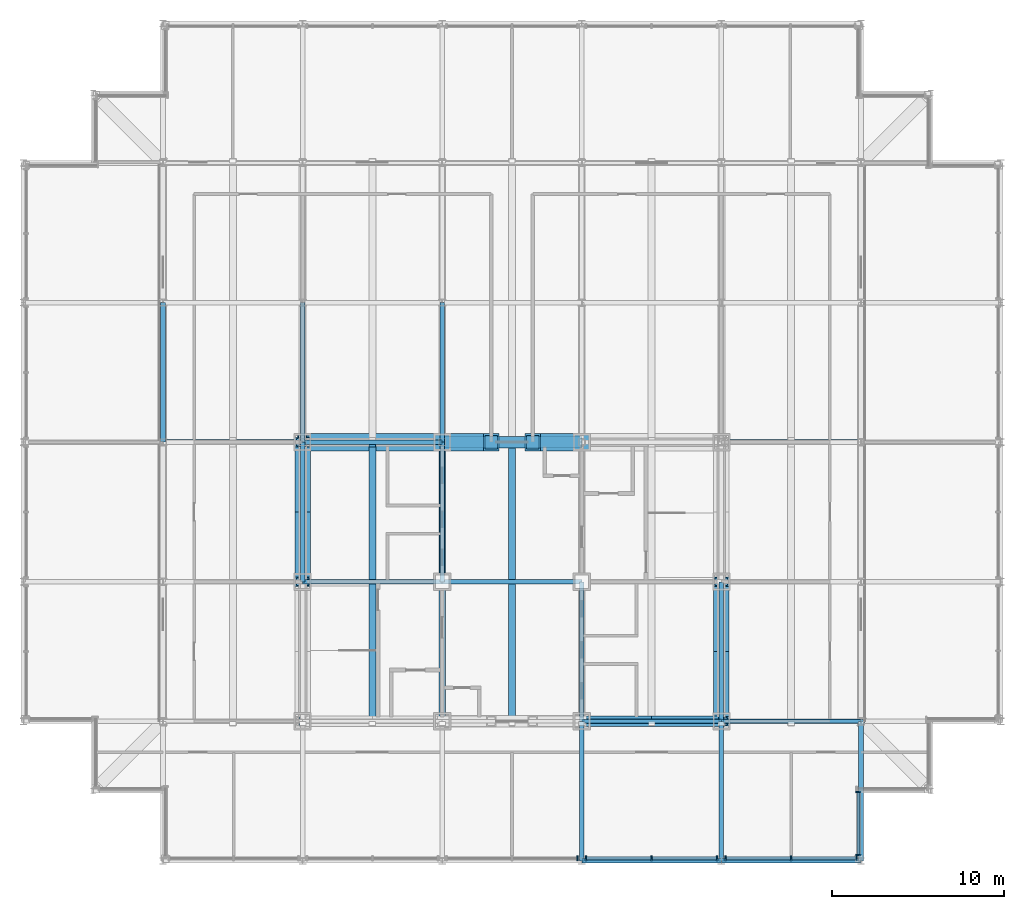
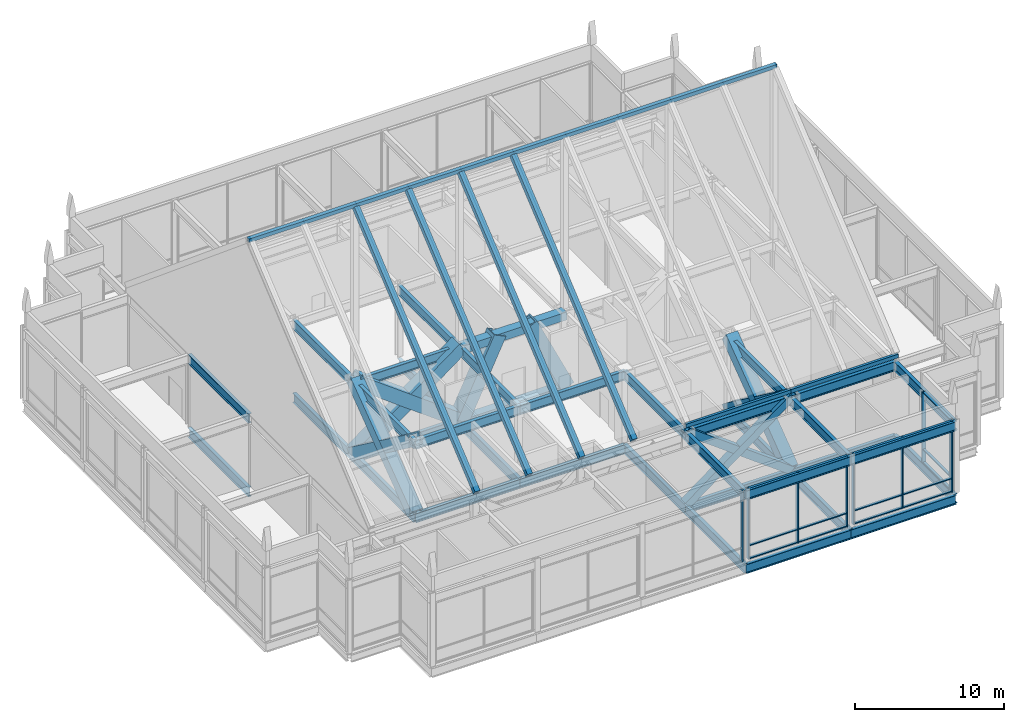
# One storey, part 7 of 22: 43 beams, 34 members, 4 elements without a shape of their own.
"""IFC4 building model written with IfcOpenShell, lengths in metres."""

from ifc_helpers import new_model, si_unit, direction, frame, origin, origin_2d, place, context, subcontext, project, spatial, rectangle, hollow_rectangle, i_section, extrude, material, material_profile, profile_set, type_object, element, aggregate, save


model = new_model("IFC4")

# Units and contexts
model_context = context("Model", 3, precision=1e-05, world=origin(), true_north=direction((0.0, 1.0)))
body_context = subcontext(model_context, "Body", "Model", "MODEL_VIEW")
ifc_project = project(units=[si_unit("LENGTHUNIT", "METRE"), si_unit("AREAUNIT", "SQUARE_METRE"), si_unit("VOLUMEUNIT", "CUBIC_METRE"), si_unit("PLANEANGLEUNIT", "RADIAN"), si_unit("MASSUNIT", "GRAM", prefix="KILO")], contexts=[model_context])

# Site, building, storey
site_placement = place(None, origin())
site = spatial("IfcSite", under=ifc_project, at=site_placement, CompositionType="ELEMENT")
building_placement = place(site_placement, origin())
building = spatial("IfcBuilding", under=site, at=building_placement, Name="Kopane Lantern Tower", CompositionType="ELEMENT")
storey_placement = place(building_placement, frame((0.0, 0.0, 303.89990234375)))
storey = spatial("IfcBuildingStorey", under=building, at=storey_placement, Name="L77", CompositionType="ELEMENT", Elevation=303.89990234375)

# Members
ifc_material_1 = material(Name="Steel S355JR", Category="steel")
ifc_material_profile_1 = material_profile(ifc_material_1, hollow_rectangle(XDim=1.0, YDim=1.0, WallThickness=0.10009765625, at=origin_2d()), Name="BOX 1000x1000x100")
ifc_profile_set_1 = profile_set([ifc_material_profile_1], Name="Steel S355JR")
member_type_1 = type_object("IfcMemberType", Name="BRACE BOX 1000x1000x100", PredefinedType="BRACE", material=ifc_profile_set_1)
for number, where, z_axis, x_axis, name in (
    (1, (16.199951171875, 40.5, -0.2099609375), (0.803085697945, 0.0, 0.595863542899), (0.0, 1.0, 0.0), "Core brace L77"),
    (2, (24.300048828125, 40.5, -0.2099609375), (-0.803085697945, 0.0, 0.595863542899), (0.0, -1.0, 0.0), "Core brace L77"),
):
    element("IfcMember", number, at=place(storey_placement, frame(where, z_axis=z_axis, x_axis=x_axis)), inside=storey, type_object=member_type_1, Name=name, PredefinedType="BRACE", context=body_context, shape_type="SweptSolid", body=[
        extrude(hollow_rectangle(XDim=1.0, YDim=1.0, WallThickness=0.10009765625, at=origin_2d()), origin(), (0.0, 0.0, 1.0), 10.086181640625),
    ])
for number, where, z_axis, x_axis, name in (
    (3, (24.300048828125, 40.5, -0.2099609375), (0.428455516454, 0.0, 0.903562875743), (0.0, 1.0, 0.0), "Core brace L77"),
    (4, (32.39990234375, 40.5, -0.2099609375), (-0.428455516454, 0.0, 0.903562875743), (0.0, -1.0, 0.0), "Core brace L77"),
):
    element("IfcMember", number, at=place(storey_placement, frame(where, z_axis=z_axis, x_axis=x_axis)), inside=storey, type_object=member_type_1, Name=name, PredefinedType="BRACE", context=body_context, shape_type="SweptSolid", body=[
        extrude(hollow_rectangle(XDim=1.0, YDim=1.0, WallThickness=0.10009765625, at=origin_2d()), origin(), (0.0, 0.0, 1.0), 6.6513671875),
    ])
ifc_material_2 = material(Name="Steel S355JR", Category="steel")
ifc_material_profile_2 = material_profile(ifc_material_2, hollow_rectangle(XDim=0.60009765625, YDim=0.60009765625, WallThickness=0.06005859375, at=origin_2d()), Name="BOX 600x600x60")
ifc_profile_set_2 = profile_set([ifc_material_profile_2], Name="Steel S355JR")
member_type_2 = type_object("IfcMemberType", Name="BRACE BOX 600x600x60", PredefinedType="BRACE", material=ifc_profile_set_2)
for number, where, z_axis, x_axis, name in (
    (5, (32.39990234375, 24.300048828125, -0.2099609375), (0.803085697945, 0.0, 0.595863542899), (0.0, 1.0, 0.0), "Core brace L77"),
    (6, (40.5, 24.300048828125, -0.2099609375), (-0.803085697945, 0.0, 0.595863542899), (0.0, -1.0, 0.0), "Core brace L77"),
):
    element("IfcMember", number, at=place(storey_placement, frame(where, z_axis=z_axis, x_axis=x_axis)), inside=storey, type_object=member_type_2, Name=name, PredefinedType="BRACE", context=body_context, shape_type="SweptSolid", body=[
        extrude(hollow_rectangle(XDim=0.60009765625, YDim=0.60009765625, WallThickness=0.06005859375, at=origin_2d()), origin(), (0.0, 0.0, 1.0), 10.086181640625),
    ])
ifc_material_3 = material(Name="Steel S355JR", Category="steel")
ifc_material_profile_3 = material_profile(ifc_material_3, hollow_rectangle(XDim=0.89990234375, YDim=0.89990234375, WallThickness=0.090087890625, at=origin_2d()), Name="BOX 900x900x90")
ifc_profile_set_3 = profile_set([ifc_material_profile_3], Name="Steel S355JR")
member_type_3 = type_object("IfcMemberType", Name="BRACE BOX 900x900x90", PredefinedType="BRACE", material=ifc_profile_set_3)
for number, where, z_axis, x_axis, name in (
    (7, (16.199951171875, 32.39990234375, -0.2099609375), (0.0, 0.803085697945, 0.595863542899), (-1.0, 0.0, 0.0), "Core brace L77"),
    (8, (16.199951171875, 40.5, -0.2099609375), (0.0, -0.803085697945, 0.595863542899), (1.0, 0.0, 0.0), "Core brace L77"),
):
    element("IfcMember", number, at=place(storey_placement, frame(where, z_axis=z_axis, x_axis=x_axis)), inside=storey, type_object=member_type_3, Name=name, PredefinedType="BRACE", context=body_context, shape_type="SweptSolid", body=[
        extrude(hollow_rectangle(XDim=0.89990234375, YDim=0.89990234375, WallThickness=0.090087890625, at=origin_2d()), origin(), (0.0, 0.0, 1.0), 10.086181640625),
    ])
for number, where, z_axis, x_axis, name in (
    (9, (40.5, 24.300048828125, -0.2099609375), (0.0, 0.803077103497, 0.595875126045), (-1.0, 0.0, 0.0), "Core brace L77"),
    (10, (40.5, 32.39990234375, -0.2099609375), (0.0, -0.803077103497, 0.595875126045), (1.0, 0.0, 0.0), "Core brace L77"),
):
    element("IfcMember", number, at=place(storey_placement, frame(where, z_axis=z_axis, x_axis=x_axis)), inside=storey, type_object=member_type_3, Name=name, PredefinedType="BRACE", context=body_context, shape_type="SweptSolid", body=[
        extrude(hollow_rectangle(XDim=0.89990234375, YDim=0.89990234375, WallThickness=0.090087890625, at=origin_2d()), origin(), (0.0, 0.0, 1.0), 10.0859375),
    ])

# Beams
ifc_material_4 = material(Name="Steel S355JR", Category="steel")
ifc_material_profile_4 = material_profile(ifc_material_4, i_section(OverallWidth=0.2666015625, OverallDepth=0.76220703125, WebThickness=0.014404296875, FlangeThickness=0.021484375, FilletRadius=0.0166015625, at=origin_2d()), Name="UB 762x267x173")
ifc_profile_set_4 = profile_set([ifc_material_profile_4], Name="Steel S355JR")
beam_type_1 = type_object("IfcBeamType", Name="CORE BEAM UB 762x267x173", PredefinedType="BEAM", material=ifc_profile_set_4)
for number, where, z_axis, x_axis, name in (
    (11, (16.199951171875, 32.39990234375, -0.591064453125), (1.0, 0.0, 0.0), (0.0, 1.0, 0.0), "Core Beam L77"),
    (12, (24.300048828125, 32.39990234375, -0.591064453125), (0.0, 1.0, 0.0), (-1.0, 0.0, 0.0), "Core Beam L77"),
):
    element("IfcBeam", number, at=place(storey_placement, frame(where, z_axis=z_axis, x_axis=x_axis)), inside=storey, type_object=beam_type_1, Name=name, PredefinedType="BEAM", context=body_context, shape_type="SweptSolid", body=[
        extrude(i_section(OverallWidth=0.2666015625, OverallDepth=0.76220703125, WebThickness=0.014404296875, FlangeThickness=0.021484375, FilletRadius=0.0166015625, at=origin_2d()), origin(), (0.0, 0.0, 1.0), 8.10009765625),
    ])
for number, where, z_axis, x_axis, name in (
    (13, (24.300048828125, 32.39990234375, -0.591064453125), (1.0, 0.0, 0.0), (0.0, 1.0, 0.0), "Core Beam L77"),
    (14, (32.39990234375, 24.300048828125, -0.591064453125), (0.0, 1.0, 0.0), (-1.0, 0.0, 0.0), "Core Beam L77"),
):
    element("IfcBeam", number, at=place(storey_placement, frame(where, z_axis=z_axis, x_axis=x_axis)), inside=storey, type_object=beam_type_1, Name=name, PredefinedType="BEAM", context=body_context, shape_type="SweptSolid", body=[
        extrude(i_section(OverallWidth=0.2666015625, OverallDepth=0.76220703125, WebThickness=0.014404296875, FlangeThickness=0.021484375, FilletRadius=0.0166015625, at=origin_2d()), origin(), (0.0, 0.0, 1.0), 8.099853515625),
    ])
beam_1_placement = place(storey_placement, frame((24.300048828125, 32.39990234375, 5.4189453125), z_axis=(0.0, 1.0, 0.0), x_axis=(-1.0, 0.0, 0.0)))
element("IfcBeam", 15, at=beam_1_placement, inside=storey, type_object=beam_type_1, Name="Core Beam roof", PredefinedType="BEAM", context=body_context, shape_type="SweptSolid", body=[
    extrude(i_section(OverallWidth=0.2666015625, OverallDepth=0.76220703125, WebThickness=0.014404296875, FlangeThickness=0.021484375, FilletRadius=0.0166015625, at=origin_2d()), origin(), (0.0, 0.0, 1.0), 8.10009765625),
])
beam_2_placement = place(storey_placement, frame((32.39990234375, 24.300048828125, 5.4189453125), z_axis=(0.0, 1.0, 0.0), x_axis=(-1.0, 0.0, 0.0)))
element("IfcBeam", 16, at=beam_2_placement, inside=storey, type_object=beam_type_1, Name="Core Beam roof", PredefinedType="BEAM", context=body_context, shape_type="SweptSolid", body=[
    extrude(i_section(OverallWidth=0.2666015625, OverallDepth=0.76220703125, WebThickness=0.014404296875, FlangeThickness=0.021484375, FilletRadius=0.0166015625, at=origin_2d()), origin(), (0.0, 0.0, 1.0), 8.099853515625),
])
beam_3_placement = place(storey_placement, frame((16.199951171875, 32.39990234375, 5.4189453125), z_axis=(1.0, 0.0, 0.0), x_axis=(0.0, 1.0, 0.0)))
element("IfcBeam", 17, at=beam_3_placement, inside=storey, type_object=beam_type_1, Name="Core Beam roof", PredefinedType="BEAM", context=body_context, shape_type="SweptSolid", body=[
    extrude(i_section(OverallWidth=0.2666015625, OverallDepth=0.76220703125, WebThickness=0.014404296875, FlangeThickness=0.021484375, FilletRadius=0.0166015625, at=origin_2d()), origin(), (0.0, 0.0, 1.0), 8.10009765625),
])
beam_4_placement = place(storey_placement, frame((24.300048828125, 32.39990234375, 5.4189453125), z_axis=(1.0, 0.0, 0.0), x_axis=(0.0, 1.0, 0.0)))
element("IfcBeam", 18, at=beam_4_placement, inside=storey, type_object=beam_type_1, Name="Core Beam roof", PredefinedType="BEAM", context=body_context, shape_type="SweptSolid", body=[
    extrude(i_section(OverallWidth=0.2666015625, OverallDepth=0.76220703125, WebThickness=0.014404296875, FlangeThickness=0.021484375, FilletRadius=0.0166015625, at=origin_2d()), origin(), (0.0, 0.0, 1.0), 8.099853515625),
])
ifc_material_5 = material(Name="Steel S355JR", Category="steel")
ifc_material_profile_5 = material_profile(ifc_material_5, i_section(OverallWidth=0.2666015625, OverallDepth=0.76220703125, WebThickness=0.014404296875, FlangeThickness=0.021484375, FilletRadius=0.0166015625, at=origin_2d()), Name="UB 762x267x173")
ifc_profile_set_5 = profile_set([ifc_material_profile_5], Name="Steel S355JR")
beam_type_2 = type_object("IfcBeamType", Name="GIRDER UB 762x267x173", PredefinedType="BEAM", material=ifc_profile_set_5)
for number, where, z_axis, x_axis, name in (
    (19, (8.10009765625, 40.5, -0.591064453125), (0.0, 1.0, 0.0), (-1.0, 0.0, 0.0), "Girder L77"),
    (20, (16.199951171875, 32.39990234375, -0.591064453125), (0.0, 1.0, 0.0), (-1.0, 0.0, 0.0), "Girder L77"),
    (21, (16.199951171875, 40.5, -0.591064453125), (0.0, 1.0, 0.0), (-1.0, 0.0, 0.0), "Girder L77"),
    (22, (16.199951171875, 40.5, -0.591064453125), (1.0, 0.0, 0.0), (0.0, 1.0, 0.0), "Girder L77"),
    (23, (24.300048828125, 40.5, -0.591064453125), (0.0, 1.0, 0.0), (-1.0, 0.0, 0.0), "Girder L77"),
    (24, (32.39990234375, 16.199951171875, -0.591064453125), (0.0, 1.0, 0.0), (-1.0, 0.0, 0.0), "Girder L77"),
    (25, (32.39990234375, 16.199951171875, -0.591064453125), (1.0, 0.0, 0.0), (0.0, 1.0, 0.0), "Girder L77"),
    (26, (32.39990234375, 24.300048828125, -0.591064453125), (1.0, 0.0, 0.0), (0.0, 1.0, 0.0), "Girder L77"),
    (27, (40.5, 16.199951171875, -0.591064453125), (0.0, 1.0, 0.0), (-1.0, 0.0, 0.0), "Girder L77"),
    (28, (40.5, 16.199951171875, -0.591064453125), (1.0, 0.0, 0.0), (0.0, 1.0, 0.0), "Girder L77"),
):
    element("IfcBeam", number, at=place(storey_placement, frame(where, z_axis=z_axis, x_axis=x_axis)), inside=storey, type_object=beam_type_2, Name=name, PredefinedType="BEAM", context=body_context, shape_type="SweptSolid", body=[
        extrude(i_section(OverallWidth=0.2666015625, OverallDepth=0.76220703125, WebThickness=0.014404296875, FlangeThickness=0.021484375, FilletRadius=0.0166015625, at=origin_2d()), origin(), (0.0, 0.0, 1.0), 8.10009765625),
    ])
beam_5_placement = place(storey_placement, frame((40.5, 24.300048828125, -0.591064453125), z_axis=(0.0, 1.0, 0.0), x_axis=(-1.0, 0.0, 0.0)))
element("IfcBeam", 29, at=beam_5_placement, inside=storey, type_object=beam_type_2, Name="Girder L77", PredefinedType="BEAM", context=body_context, shape_type="SweptSolid", body=[
    extrude(i_section(OverallWidth=0.2666015625, OverallDepth=0.76220703125, WebThickness=0.014404296875, FlangeThickness=0.021484375, FilletRadius=0.0166015625, at=origin_2d()), origin(), (0.0, 0.0, 1.0), 8.099853515625),
])
for number, where, z_axis, x_axis, name in (
    (30, (40.5, 24.300048828125, -0.591064453125), (1.0, 0.0, 0.0), (0.0, 1.0, 0.0), "Girder L77"),
    (31, (48.60009765625, 16.199951171875, -0.591064453125), (0.0, 1.0, 0.0), (-1.0, 0.0, 0.0), "Girder L77"),
):
    element("IfcBeam", number, at=place(storey_placement, frame(where, z_axis=z_axis, x_axis=x_axis)), inside=storey, type_object=beam_type_2, Name=name, PredefinedType="BEAM", context=body_context, shape_type="SweptSolid", body=[
        extrude(i_section(OverallWidth=0.2666015625, OverallDepth=0.76220703125, WebThickness=0.014404296875, FlangeThickness=0.021484375, FilletRadius=0.0166015625, at=origin_2d()), origin(), (0.0, 0.0, 1.0), 8.10009765625),
    ])
ifc_material_6 = material(Name="Steel S355JR", Category="steel")
ifc_material_profile_6 = material_profile(ifc_material_6, hollow_rectangle(XDim=0.39990234375, YDim=0.39990234375, WallThickness=0.01611328125, at=origin_2d()), Name="RHS 400x400x16")
ifc_profile_set_6 = profile_set([ifc_material_profile_6], Name="Steel S355JR")
beam_type_3 = type_object("IfcBeamType", Name="LANTERN RAFTER SHS 400x400x16", PredefinedType="USERDEFINED", material=ifc_profile_set_6)
for number, where, z_axis, x_axis, name in (
    (32, (16.199951171875, 24.172119140625, 6.45361328125), (0.0, 0.768220329338, 0.640185539974), (-1.0, 0.0, 0.0), "Lantern rafter S"),
    (33, (20.25, 24.172119140625, 6.45361328125), (0.0, 0.768220329338, 0.640185539974), (-1.0, 0.0, 0.0), "Lantern rafter S"),
    (34, (24.300048828125, 24.172119140625, 6.45361328125), (0.0, 0.768220329338, 0.640185539974), (-1.0, 0.0, 0.0), "Lantern rafter S"),
    (35, (28.35009765625, 24.172119140625, 6.45361328125), (0.0, 0.768220329338, 0.640185539974), (-1.0, 0.0, 0.0), "Lantern rafter S"),
):
    element("IfcBeam", number, at=place(storey_placement, frame(where, z_axis=z_axis, x_axis=x_axis)), inside=storey, type_object=beam_type_3, Name=name, ObjectType="RAFTER", PredefinedType="USERDEFINED", context=body_context, shape_type="SweptSolid", body=[
        extrude(hollow_rectangle(XDim=0.39990234375, YDim=0.39990234375, WallThickness=0.01611328125, at=origin_2d()), origin(), (0.0, 0.0, 1.0), 21.05908203125),
    ])
ifc_material_7 = material(Name="Steel S355JR", Category="steel")
ifc_material_profile_7 = material_profile(ifc_material_7, hollow_rectangle(XDim=0.300048828125, YDim=0.300048828125, WallThickness=0.012451171875, at=origin_2d()), Name="RHS 300x300x12.5")
ifc_profile_set_7 = profile_set([ifc_material_profile_7], Name="Steel S355JR")
beam_type_4 = type_object("IfcBeamType", Name="LANTERN RIDGE BEAM RHS 300x300x12.5", PredefinedType="BEAM", material=ifc_profile_set_7)
beam_6_placement = place(storey_placement, frame((7.949951171875, 40.5, 20.0458984375), z_axis=(1.0, 0.0, 0.0), x_axis=(0.0, 1.0, 0.0)))
element("IfcBeam", 36, at=beam_6_placement, inside=storey, type_object=beam_type_4, Name="Lantern ridge beam", PredefinedType="BEAM", context=body_context, shape_type="SweptSolid", body=[
    extrude(hollow_rectangle(XDim=0.300048828125, YDim=0.300048828125, WallThickness=0.012451171875, at=origin_2d()), origin(), (0.0, 0.0, 1.0), 40.800048828125),
])
ifc_material_8 = material(Name="Steel S355JR", Category="steel")
ifc_material_profile_8 = material_profile(ifc_material_8, hollow_rectangle(XDim=0.199951171875, YDim=0.300048828125, WallThickness=0.010009765625, at=origin_2d()), Name="RHS 300x200x10")
ifc_profile_set_8 = profile_set([ifc_material_profile_8], Name="Steel S355JR")
beam_type_5 = type_object("IfcBeamType", Name="LANTERN SILL BEAM RHS 300x200x10", PredefinedType="BEAM", material=ifc_profile_set_8)
beam_7_placement = place(storey_placement, frame((32.39990234375, 24.300048828125, 6.150146484375), z_axis=(1.0, 0.0, 0.0), x_axis=(0.0, 1.0, 0.0)))
element("IfcBeam", 37, at=beam_7_placement, inside=storey, type_object=beam_type_5, Name="Lantern sill beam S", PredefinedType="BEAM", context=body_context, shape_type="SweptSolid", body=[
    extrude(hollow_rectangle(XDim=0.199951171875, YDim=0.300048828125, WallThickness=0.010009765625, at=origin_2d()), origin(), (0.0, 0.0, 1.0), 8.10009765625),
])
beam_8_placement = place(storey_placement, frame((40.5, 24.300048828125, 6.150146484375), z_axis=(1.0, 0.0, 0.0), x_axis=(0.0, 1.0, 0.0)))
element("IfcBeam", 38, at=beam_8_placement, inside=storey, type_object=beam_type_5, Name="Lantern sill beam S", PredefinedType="BEAM", context=body_context, shape_type="SweptSolid", body=[
    extrude(hollow_rectangle(XDim=0.199951171875, YDim=0.300048828125, WallThickness=0.010009765625, at=origin_2d()), origin(), (0.0, 0.0, 1.0), 8.300048828125),
])
ifc_material_9 = material(Name="Steel S355JR", Category="steel")
ifc_material_profile_9 = material_profile(ifc_material_9, hollow_rectangle(XDim=0.64990234375, YDim=0.64990234375, WallThickness=0.070068359375, at=origin_2d()), Name="BOX 650x650x70")
ifc_profile_set_9 = profile_set([ifc_material_profile_9], Name="Steel S355JR")
beam_type_6 = type_object("IfcBeamType", Name="LINK BEAM BOX 650x650x70", PredefinedType="BEAM", material=ifc_profile_set_9)
for number, where, z_axis, x_axis, name in (
    (39, (24.300048828125, 40.5, -0.534912109375), (1.0, 0.0, 0.0), (0.0, 1.0, 0.0), "Link Beam L77"),
    (40, (24.300048828125, 40.5, 5.47509765625), (1.0, 0.0, 0.0), (0.0, 1.0, 0.0), "Link Beam roof"),
):
    element("IfcBeam", number, at=place(storey_placement, frame(where, z_axis=z_axis, x_axis=x_axis)), inside=storey, type_object=beam_type_6, Name=name, PredefinedType="BEAM", context=body_context, shape_type="SweptSolid", body=[
        extrude(hollow_rectangle(XDim=0.64990234375, YDim=0.64990234375, WallThickness=0.070068359375, at=origin_2d()), origin(), (0.0, 0.0, 1.0), 8.099853515625),
    ])

# Curtain wall, member
ifc_material_10 = material(Name="Aluminium and clear glass", Category="aluminium")
curtain_wall_type = type_object("IfcCurtainWallType", Name="CURTAIN WALL CW6 LANTERN CROWN", PredefinedType="USERDEFINED", material=ifc_material_10)
curtain_wall_1_placement = place(storey_placement, origin())
curtain_wall_1 = element("IfcCurtainWall", 41, at=curtain_wall_1_placement, inside=storey, type_object=curtain_wall_type, Name="Curtain wall CW6 S L77", ObjectType="CURTAIN WALL", PredefinedType="USERDEFINED")
ifc_material_11 = material(Name="Aluminium", Category="aluminium")
ifc_material_profile_10 = material_profile(ifc_material_11, rectangle(XDim=0.080078125, YDim=0.280029296875, at=origin_2d()), Name="AL 80x280")
ifc_profile_set_10 = profile_set([ifc_material_profile_10], Name="Aluminium")
member_type_4 = type_object("IfcMemberType", Name="MULLION CW6-M 80x280", PredefinedType="MULLION", material=ifc_profile_set_10)
member_1_placement = place(storey_placement, frame((32.155517578125, 16.35009765625, 0.0), z_axis=(0.0, 0.0, 1.0), x_axis=(1.0, 0.0, 0.0)))
member_1 = element("IfcMember", 42, at=member_1_placement, type_object=member_type_4, Name="CW6 mullion 3", PredefinedType="MULLION", context=body_context, shape_type="SweptSolid", body=[
    extrude(rectangle(XDim=0.080078125, YDim=0.280029296875, at=origin_2d()), origin(), (0.0, 0.0, 1.0), 5.800048828125),
])
aggregate(curtain_wall_1, [member_1])

# Curtain wall, members
curtain_wall_2_placement = place(storey_placement, origin())
curtain_wall_2 = element("IfcCurtainWall", 43, at=curtain_wall_2_placement, inside=storey, type_object=curtain_wall_type, Name="Curtain wall CW6 S L77", ObjectType="CURTAIN WALL", PredefinedType="USERDEFINED")
member_2_placement = place(storey_placement, frame((32.64453125, 16.35009765625, 0.0), z_axis=(0.0, 0.0, 1.0), x_axis=(1.0, 0.0, 0.0)))
member_2 = element("IfcMember", 44, at=member_2_placement, type_object=member_type_4, Name="CW6 mullion 1", PredefinedType="MULLION", context=body_context, shape_type="SweptSolid", body=[
    extrude(rectangle(XDim=0.080078125, YDim=0.280029296875, at=origin_2d()), origin(), (0.0, 0.0, 1.0), 5.800048828125),
])
member_3_placement = place(storey_placement, frame((36.449951171875, 16.35009765625, 0.0), z_axis=(0.0, 0.0, 1.0), x_axis=(1.0, 0.0, 0.0)))
member_3 = element("IfcMember", 45, at=member_3_placement, type_object=member_type_4, Name="CW6 mullion 2", PredefinedType="MULLION", context=body_context, shape_type="SweptSolid", body=[
    extrude(rectangle(XDim=0.080078125, YDim=0.280029296875, at=origin_2d()), origin(), (0.0, 0.0, 1.0), 5.800048828125),
])
member_4_placement = place(storey_placement, frame((40.255615234375, 16.35009765625, 0.0), z_axis=(0.0, 0.0, 1.0), x_axis=(1.0, 0.0, 0.0)))
member_4 = element("IfcMember", 46, at=member_4_placement, type_object=member_type_4, Name="CW6 mullion 3", PredefinedType="MULLION", context=body_context, shape_type="SweptSolid", body=[
    extrude(rectangle(XDim=0.080078125, YDim=0.280029296875, at=origin_2d()), origin(), (0.0, 0.0, 1.0), 5.800048828125),
])

curtain_wall_3_placement = place(storey_placement, origin())
curtain_wall_3 = element("IfcCurtainWall", 47, at=curtain_wall_3_placement, inside=storey, type_object=curtain_wall_type, Name="Curtain wall CW6 S L77", ObjectType="CURTAIN WALL", PredefinedType="USERDEFINED")
member_5_placement = place(storey_placement, frame((40.744384765625, 16.35009765625, 0.0), z_axis=(0.0, 0.0, 1.0), x_axis=(1.0, 0.0, 0.0)))
member_5 = element("IfcMember", 48, at=member_5_placement, type_object=member_type_4, Name="CW6 mullion 1", PredefinedType="MULLION", context=body_context, shape_type="SweptSolid", body=[
    extrude(rectangle(XDim=0.080078125, YDim=0.280029296875, at=origin_2d()), origin(), (0.0, 0.0, 1.0), 5.800048828125),
])
member_6_placement = place(storey_placement, frame((44.550048828125, 16.35009765625, 0.0), z_axis=(0.0, 0.0, 1.0), x_axis=(1.0, 0.0, 0.0)))
member_6 = element("IfcMember", 49, at=member_6_placement, type_object=member_type_4, Name="CW6 mullion 2", PredefinedType="MULLION", context=body_context, shape_type="SweptSolid", body=[
    extrude(rectangle(XDim=0.080078125, YDim=0.280029296875, at=origin_2d()), origin(), (0.0, 0.0, 1.0), 5.800048828125),
])
member_7_placement = place(storey_placement, frame((48.35546875, 16.35009765625, 0.0), z_axis=(0.0, 0.0, 1.0), x_axis=(1.0, 0.0, 0.0)))
member_7 = element("IfcMember", 50, at=member_7_placement, type_object=member_type_4, Name="CW6 mullion 3", PredefinedType="MULLION", context=body_context, shape_type="SweptSolid", body=[
    extrude(rectangle(XDim=0.080078125, YDim=0.280029296875, at=origin_2d()), origin(), (0.0, 0.0, 1.0), 5.800048828125),
])

curtain_wall_4_placement = place(storey_placement, origin())
curtain_wall_4 = element("IfcCurtainWall", 51, at=curtain_wall_4_placement, inside=storey, type_object=curtain_wall_type, Name="Curtain wall CW6 E L77", ObjectType="CURTAIN WALL", PredefinedType="USERDEFINED")
member_8_placement = place(storey_placement, frame((48.449951171875, 16.5400390625, 0.0), z_axis=(0.0, 0.0, 1.0), x_axis=(0.0, 1.0, 0.0)))
member_8 = element("IfcMember", 52, at=member_8_placement, type_object=member_type_4, Name="CW6 mullion 1", PredefinedType="MULLION", context=body_context, shape_type="SweptSolid", body=[
    extrude(rectangle(XDim=0.080078125, YDim=0.280029296875, at=origin_2d()), origin(), (0.0, 0.0, 1.0), 5.800048828125),
])
member_9_placement = place(storey_placement, frame((48.449951171875, 20.2099609375, 0.0), z_axis=(0.0, 0.0, 1.0), x_axis=(0.0, 1.0, 0.0)))
member_9 = element("IfcMember", 53, at=member_9_placement, type_object=member_type_4, Name="CW6 mullion 2", PredefinedType="MULLION", context=body_context, shape_type="SweptSolid", body=[
    extrude(rectangle(XDim=0.080078125, YDim=0.280029296875, at=origin_2d()), origin(), (0.0, 0.0, 1.0), 5.800048828125),
])

# Beams
ifc_material_12 = material(Name="Steel S355JR", Category="steel")
ifc_material_profile_11 = material_profile(ifc_material_12, i_section(OverallWidth=0.2666015625, OverallDepth=0.76220703125, WebThickness=0.014404296875, FlangeThickness=0.021484375, FilletRadius=0.0166015625, at=origin_2d()), Name="UB 762x267x173")
ifc_profile_set_11 = profile_set([ifc_material_profile_11], Name="Steel S355JR")
beam_type_7 = type_object("IfcBeamType", Name="ROOF GIRDER UB 762x267x173", PredefinedType="BEAM", material=ifc_profile_set_11)
for number, where, z_axis, x_axis, name in (
    (54, (8.10009765625, 40.5, 5.4189453125), (0.0, 1.0, 0.0), (-1.0, 0.0, 0.0), "Roof Girder roof"),
    (55, (16.199951171875, 32.39990234375, 5.4189453125), (0.0, 1.0, 0.0), (-1.0, 0.0, 0.0), "Roof Girder roof"),
    (56, (16.199951171875, 40.5, 5.4189453125), (0.0, 1.0, 0.0), (-1.0, 0.0, 0.0), "Roof Girder roof"),
    (57, (24.300048828125, 40.5, 5.4189453125), (0.0, 1.0, 0.0), (-1.0, 0.0, 0.0), "Roof Girder roof"),
    (58, (32.39990234375, 16.199951171875, 5.4189453125), (0.0, 1.0, 0.0), (-1.0, 0.0, 0.0), "Roof Girder roof"),
    (59, (40.5, 16.199951171875, 5.4189453125), (0.0, 1.0, 0.0), (-1.0, 0.0, 0.0), "Roof Girder roof"),
):
    element("IfcBeam", number, at=place(storey_placement, frame(where, z_axis=z_axis, x_axis=x_axis)), inside=storey, type_object=beam_type_7, Name=name, PredefinedType="BEAM", context=body_context, shape_type="SweptSolid", body=[
        extrude(i_section(OverallWidth=0.2666015625, OverallDepth=0.76220703125, WebThickness=0.014404296875, FlangeThickness=0.021484375, FilletRadius=0.0166015625, at=origin_2d()), origin(), (0.0, 0.0, 1.0), 8.10009765625),
    ])
beam_9_placement = place(storey_placement, frame((40.5, 24.300048828125, 5.4189453125), z_axis=(0.0, 1.0, 0.0), x_axis=(-1.0, 0.0, 0.0)))
element("IfcBeam", 60, at=beam_9_placement, inside=storey, type_object=beam_type_7, Name="Roof Girder roof", PredefinedType="BEAM", context=body_context, shape_type="SweptSolid", body=[
    extrude(i_section(OverallWidth=0.2666015625, OverallDepth=0.76220703125, WebThickness=0.014404296875, FlangeThickness=0.021484375, FilletRadius=0.0166015625, at=origin_2d()), origin(), (0.0, 0.0, 1.0), 8.099853515625),
])
for number, where, z_axis, x_axis, name in (
    (61, (48.60009765625, 16.199951171875, 5.4189453125), (0.0, 1.0, 0.0), (-1.0, 0.0, 0.0), "Roof Girder roof"),
    (62, (32.39990234375, 16.199951171875, 5.4189453125), (1.0, 0.0, 0.0), (0.0, 1.0, 0.0), "Roof Girder roof"),
    (63, (40.5, 16.199951171875, 5.4189453125), (1.0, 0.0, 0.0), (0.0, 1.0, 0.0), "Roof Girder roof"),
    (64, (32.39990234375, 24.300048828125, 5.4189453125), (1.0, 0.0, 0.0), (0.0, 1.0, 0.0), "Roof Girder roof"),
    (65, (40.5, 24.300048828125, 5.4189453125), (1.0, 0.0, 0.0), (0.0, 1.0, 0.0), "Roof Girder roof"),
    (66, (16.199951171875, 40.5, 5.4189453125), (1.0, 0.0, 0.0), (0.0, 1.0, 0.0), "Roof Girder roof"),
):
    element("IfcBeam", number, at=place(storey_placement, frame(where, z_axis=z_axis, x_axis=x_axis)), inside=storey, type_object=beam_type_7, Name=name, PredefinedType="BEAM", context=body_context, shape_type="SweptSolid", body=[
        extrude(i_section(OverallWidth=0.2666015625, OverallDepth=0.76220703125, WebThickness=0.014404296875, FlangeThickness=0.021484375, FilletRadius=0.0166015625, at=origin_2d()), origin(), (0.0, 0.0, 1.0), 8.10009765625),
    ])

# Member
ifc_material_13 = material(Name="Aluminium", Category="aluminium")
ifc_material_profile_12 = material_profile(ifc_material_13, rectangle(XDim=0.18994140625, YDim=0.080078125, at=origin_2d()), Name="AL 190x80")
ifc_profile_set_12 = profile_set([ifc_material_profile_12], Name="Aluminium")
member_type_5 = type_object("IfcMemberType", Name="TRANSOM CW6-T 80x190", PredefinedType="USERDEFINED", material=ifc_profile_set_12)
member_10_placement = place(storey_placement, frame((32.6845703125, 16.35009765625, 0.0400390625), z_axis=(1.0, 0.0, 0.0), x_axis=(0.0, 1.0, 0.0)))
member_10 = element("IfcMember", 67, at=member_10_placement, type_object=member_type_5, Name="CW6 transom 1.1", ObjectType="TRANSOM", PredefinedType="USERDEFINED", context=body_context, shape_type="SweptSolid", body=[
    extrude(rectangle(XDim=0.18994140625, YDim=0.080078125, at=origin_2d()), origin(), (0.0, 0.0, 1.0), 3.725341796875),
])

member_11_placement = place(storey_placement, frame((32.6845703125, 16.35009765625, 1.10009765625), z_axis=(1.0, 0.0, 0.0), x_axis=(0.0, 1.0, 0.0)))
member_11 = element("IfcMember", 68, at=member_11_placement, type_object=member_type_5, Name="CW6 transom 1.2", ObjectType="TRANSOM", PredefinedType="USERDEFINED", context=body_context, shape_type="SweptSolid", body=[
    extrude(rectangle(XDim=0.18994140625, YDim=0.080078125, at=origin_2d()), origin(), (0.0, 0.0, 1.0), 3.725341796875),
])

member_12_placement = place(storey_placement, frame((32.6845703125, 16.35009765625, 5.760009765625), z_axis=(1.0, 0.0, 0.0), x_axis=(0.0, 1.0, 0.0)))
member_12 = element("IfcMember", 69, at=member_12_placement, type_object=member_type_5, Name="CW6 transom 1.3", ObjectType="TRANSOM", PredefinedType="USERDEFINED", context=body_context, shape_type="SweptSolid", body=[
    extrude(rectangle(XDim=0.18994140625, YDim=0.080078125, at=origin_2d()), origin(), (0.0, 0.0, 1.0), 3.725341796875),
])

member_13_placement = place(storey_placement, frame((36.489990234375, 16.35009765625, 0.0400390625), z_axis=(1.0, 0.0, 0.0), x_axis=(0.0, 1.0, 0.0)))
member_13 = element("IfcMember", 70, at=member_13_placement, type_object=member_type_5, Name="CW6 transom 2.1", ObjectType="TRANSOM", PredefinedType="USERDEFINED", context=body_context, shape_type="SweptSolid", body=[
    extrude(rectangle(XDim=0.18994140625, YDim=0.080078125, at=origin_2d()), origin(), (0.0, 0.0, 1.0), 3.7255859375),
])

member_14_placement = place(storey_placement, frame((36.489990234375, 16.35009765625, 1.10009765625), z_axis=(1.0, 0.0, 0.0), x_axis=(0.0, 1.0, 0.0)))
member_14 = element("IfcMember", 71, at=member_14_placement, type_object=member_type_5, Name="CW6 transom 2.2", ObjectType="TRANSOM", PredefinedType="USERDEFINED", context=body_context, shape_type="SweptSolid", body=[
    extrude(rectangle(XDim=0.18994140625, YDim=0.080078125, at=origin_2d()), origin(), (0.0, 0.0, 1.0), 3.7255859375),
])

member_15_placement = place(storey_placement, frame((36.489990234375, 16.35009765625, 5.760009765625), z_axis=(1.0, 0.0, 0.0), x_axis=(0.0, 1.0, 0.0)))
member_15 = element("IfcMember", 72, at=member_15_placement, type_object=member_type_5, Name="CW6 transom 2.3", ObjectType="TRANSOM", PredefinedType="USERDEFINED", context=body_context, shape_type="SweptSolid", body=[
    extrude(rectangle(XDim=0.18994140625, YDim=0.080078125, at=origin_2d()), origin(), (0.0, 0.0, 1.0), 3.7255859375),
])

aggregate(curtain_wall_2, [member_2, member_3, member_4, member_10, member_11, member_12, member_13, member_14, member_15])

member_16_placement = place(storey_placement, frame((40.784423828125, 16.35009765625, 0.0400390625), z_axis=(1.0, 0.0, 0.0), x_axis=(0.0, 1.0, 0.0)))
member_16 = element("IfcMember", 73, at=member_16_placement, type_object=member_type_5, Name="CW6 transom 1.1", ObjectType="TRANSOM", PredefinedType="USERDEFINED", context=body_context, shape_type="SweptSolid", body=[
    extrude(rectangle(XDim=0.18994140625, YDim=0.080078125, at=origin_2d()), origin(), (0.0, 0.0, 1.0), 3.7255859375),
])

member_17_placement = place(storey_placement, frame((40.784423828125, 16.35009765625, 1.10009765625), z_axis=(1.0, 0.0, 0.0), x_axis=(0.0, 1.0, 0.0)))
member_17 = element("IfcMember", 74, at=member_17_placement, type_object=member_type_5, Name="CW6 transom 1.2", ObjectType="TRANSOM", PredefinedType="USERDEFINED", context=body_context, shape_type="SweptSolid", body=[
    extrude(rectangle(XDim=0.18994140625, YDim=0.080078125, at=origin_2d()), origin(), (0.0, 0.0, 1.0), 3.7255859375),
])

member_18_placement = place(storey_placement, frame((40.784423828125, 16.35009765625, 5.760009765625), z_axis=(1.0, 0.0, 0.0), x_axis=(0.0, 1.0, 0.0)))
member_18 = element("IfcMember", 75, at=member_18_placement, type_object=member_type_5, Name="CW6 transom 1.3", ObjectType="TRANSOM", PredefinedType="USERDEFINED", context=body_context, shape_type="SweptSolid", body=[
    extrude(rectangle(XDim=0.18994140625, YDim=0.080078125, at=origin_2d()), origin(), (0.0, 0.0, 1.0), 3.7255859375),
])

member_19_placement = place(storey_placement, frame((44.590087890625, 16.35009765625, 0.0400390625), z_axis=(1.0, 0.0, 0.0), x_axis=(0.0, 1.0, 0.0)))
member_19 = element("IfcMember", 76, at=member_19_placement, type_object=member_type_5, Name="CW6 transom 2.1", ObjectType="TRANSOM", PredefinedType="USERDEFINED", context=body_context, shape_type="SweptSolid", body=[
    extrude(rectangle(XDim=0.18994140625, YDim=0.080078125, at=origin_2d()), origin(), (0.0, 0.0, 1.0), 3.725341796875),
])

member_20_placement = place(storey_placement, frame((44.590087890625, 16.35009765625, 1.10009765625), z_axis=(1.0, 0.0, 0.0), x_axis=(0.0, 1.0, 0.0)))
member_20 = element("IfcMember", 77, at=member_20_placement, type_object=member_type_5, Name="CW6 transom 2.2", ObjectType="TRANSOM", PredefinedType="USERDEFINED", context=body_context, shape_type="SweptSolid", body=[
    extrude(rectangle(XDim=0.18994140625, YDim=0.080078125, at=origin_2d()), origin(), (0.0, 0.0, 1.0), 3.725341796875),
])

member_21_placement = place(storey_placement, frame((44.590087890625, 16.35009765625, 5.760009765625), z_axis=(1.0, 0.0, 0.0), x_axis=(0.0, 1.0, 0.0)))
member_21 = element("IfcMember", 78, at=member_21_placement, type_object=member_type_5, Name="CW6 transom 2.3", ObjectType="TRANSOM", PredefinedType="USERDEFINED", context=body_context, shape_type="SweptSolid", body=[
    extrude(rectangle(XDim=0.18994140625, YDim=0.080078125, at=origin_2d()), origin(), (0.0, 0.0, 1.0), 3.725341796875),
])

aggregate(curtain_wall_3, [member_5, member_6, member_7, member_16, member_17, member_18, member_19, member_20, member_21])

member_22_placement = place(storey_placement, frame((48.449951171875, 16.580078125, 0.0400390625), z_axis=(0.0, 1.0, 0.0), x_axis=(-1.0, 0.0, 0.0)))
member_22 = element("IfcMember", 79, at=member_22_placement, type_object=member_type_5, Name="CW6 transom 1.1", ObjectType="TRANSOM", PredefinedType="USERDEFINED", context=body_context, shape_type="SweptSolid", body=[
    extrude(rectangle(XDim=0.18994140625, YDim=0.080078125, at=origin_2d()), origin(), (0.0, 0.0, 1.0), 3.58984375),
])

member_23_placement = place(storey_placement, frame((48.449951171875, 16.580078125, 1.10009765625), z_axis=(0.0, 1.0, 0.0), x_axis=(-1.0, 0.0, 0.0)))
member_23 = element("IfcMember", 80, at=member_23_placement, type_object=member_type_5, Name="CW6 transom 1.2", ObjectType="TRANSOM", PredefinedType="USERDEFINED", context=body_context, shape_type="SweptSolid", body=[
    extrude(rectangle(XDim=0.18994140625, YDim=0.080078125, at=origin_2d()), origin(), (0.0, 0.0, 1.0), 3.58984375),
])

member_24_placement = place(storey_placement, frame((48.449951171875, 16.580078125, 5.760009765625), z_axis=(0.0, 1.0, 0.0), x_axis=(-1.0, 0.0, 0.0)))
member_24 = element("IfcMember", 81, at=member_24_placement, type_object=member_type_5, Name="CW6 transom 1.3", ObjectType="TRANSOM", PredefinedType="USERDEFINED", context=body_context, shape_type="SweptSolid", body=[
    extrude(rectangle(XDim=0.18994140625, YDim=0.080078125, at=origin_2d()), origin(), (0.0, 0.0, 1.0), 3.58984375),
])

aggregate(curtain_wall_4, [member_8, member_9, member_22, member_23, member_24])

save(model, "model.ifc")
